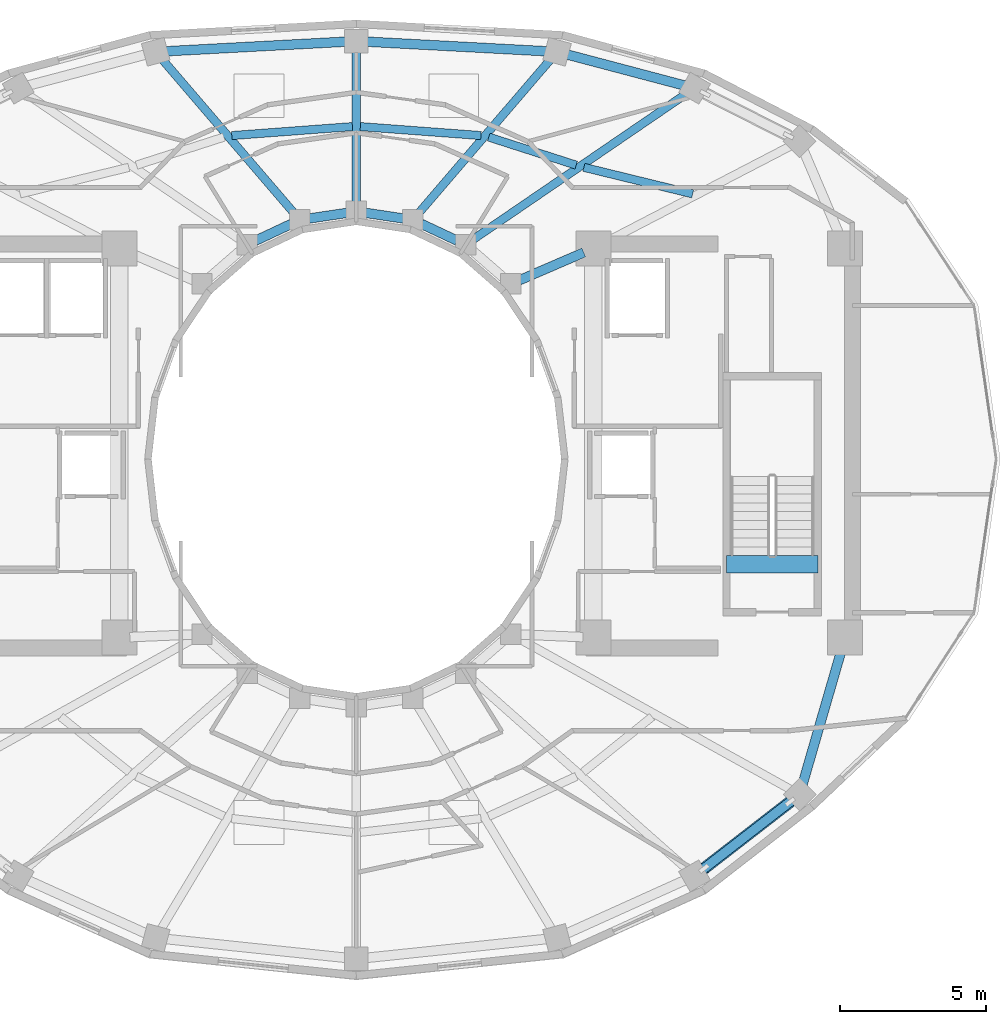
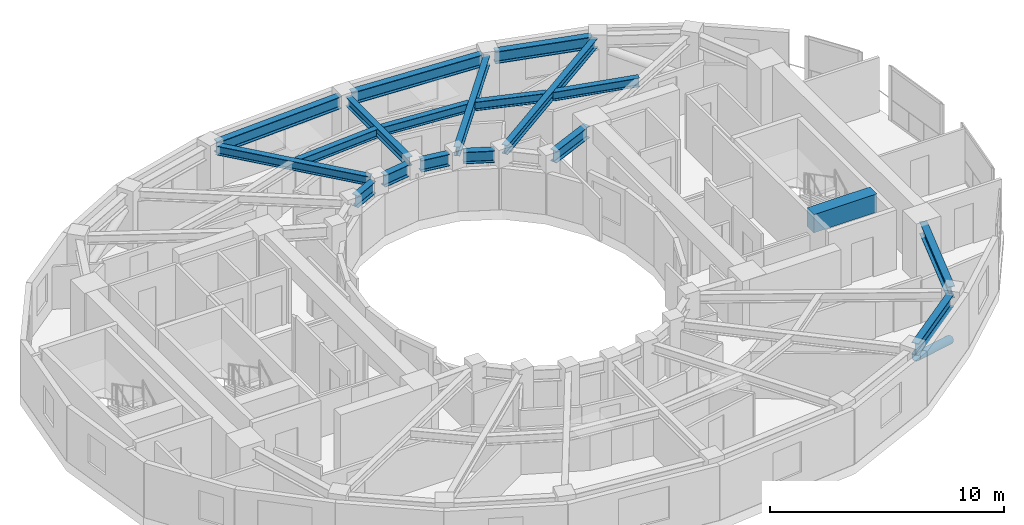
# One storey, part 2 of 12: 19 beams, 1 member.
"""IFC4 building model written with IfcOpenShell, lengths in metres."""

from ifc_helpers import new_model, si_unit, direction, frame, origin, origin_2d, place, context, subcontext, project, spatial, rectangle, hollow_circle, i_section, extrude, material, material_profile, profile_set, type_object, element, save


model = new_model("IFC4")

# Units and contexts
model_context = context("Model", 3, precision=1e-05, world=origin(), true_north=direction((0.0, 1.0)))
body_context = subcontext(model_context, "Body", "Model", "MODEL_VIEW")
ifc_project = project(units=[si_unit("LENGTHUNIT", "METRE"), si_unit("AREAUNIT", "SQUARE_METRE"), si_unit("VOLUMEUNIT", "CUBIC_METRE"), si_unit("PLANEANGLEUNIT", "RADIAN"), si_unit("MASSUNIT", "GRAM", prefix="KILO")], contexts=[model_context])

# Site, building, storey
site_placement = place(None, origin())
site = spatial("IfcSite", under=ifc_project, at=site_placement, CompositionType="ELEMENT")
building_placement = place(site_placement, origin())
building = spatial("IfcBuilding", under=site, at=building_placement, Name="Solvane Sanctuary Tower", CompositionType="ELEMENT")
storey_placement = place(building_placement, frame((0.0, 0.0, 210.89990234375)))
storey = spatial("IfcBuildingStorey", under=building, at=storey_placement, Name="L64", CompositionType="ELEMENT", Elevation=210.89990234375)

# Beams
ifc_material_1 = material(Name="Concrete C70/85", Category="concrete")
ifc_material_profile_1 = material_profile(ifc_material_1, rectangle(XDim=0.60009765625, YDim=0.949951171875, at=origin_2d()), Name="RC600X950")
ifc_profile_set_1 = profile_set([ifc_material_profile_1], Name="Concrete C70/85")
beam_type_1 = type_object("IfcBeamType", Name="Beam B-COUPLE RC600X950", PredefinedType="LINTEL", material=ifc_profile_set_1)
beam_1_placement = place(storey_placement, frame((44.64990234375, 19.399169921875, 2.625), z_axis=(1.0, 0.0, 0.0), x_axis=(0.0, 1.0, 0.0)))
element("IfcBeam", 1, at=beam_1_placement, inside=storey, type_object=beam_type_1, Name="L64 ST-2 Stair Floor Landing Trimmer", PredefinedType="LINTEL", context=body_context, shape_type="SweptSolid", body=[
    extrude(rectangle(XDim=0.60009765625, YDim=0.949951171875, at=origin_2d()), origin(), (0.0, 0.0, 1.0), 3.1201171875),
])
ifc_material_2 = material(Name="Steel ASTM A992 Grade 50", Category="steel")
ifc_material_profile_2 = material_profile(ifc_material_2, i_section(OverallWidth=0.282958984375, OverallDepth=0.471923828125, WebThickness=0.013671875, FlangeThickness=0.022216796875, FilletRadius=0.013916015625, at=origin_2d()), Name="W18X97")
ifc_profile_set_2 = profile_set([ifc_material_profile_2], Name="Steel ASTM A992 Grade 50")
beam_type_2 = type_object("IfcBeamType", Name="Beam B-RAD-Z4 W18X97", PredefinedType="JOIST", material=ifc_profile_set_2)
beam_2_placement = place(storey_placement, frame((35.961181640625, 30.484619140625, 2.64208984375), z_axis=(0.825707980649, 0.564097802418, 0.0), x_axis=(-0.564097802418, 0.825707980649, 0.0)))
element("IfcBeam", 2, at=beam_2_placement, inside=storey, type_object=beam_type_2, Name="L64 Radial Composite Floor Beam 02", PredefinedType="JOIST", context=body_context, shape_type="SweptSolid", body=[
    extrude(i_section(OverallWidth=0.282958984375, OverallDepth=0.471923828125, WebThickness=0.013671875, FlangeThickness=0.022216796875, FilletRadius=0.013916015625, at=origin_2d()), origin(), (0.0, 0.0, 1.0), 8.9169921875),
])
beam_3_placement = place(storey_placement, frame((34.113037109375, 31.38427734375, 2.64208984375), z_axis=(0.651023809724, 0.759057309544, 0.0), x_axis=(-0.759057309544, 0.651023809724, 0.0)))
element("IfcBeam", 3, at=beam_3_placement, inside=storey, type_object=beam_type_2, Name="L64 Radial Composite Floor Beam 03", PredefinedType="JOIST", context=body_context, shape_type="SweptSolid", body=[
    extrude(i_section(OverallWidth=0.282958984375, OverallDepth=0.471923828125, WebThickness=0.013671875, FlangeThickness=0.022216796875, FilletRadius=0.013916015625, at=origin_2d()), origin(), (0.0, 0.0, 1.0), 7.005615234375),
])
beam_4_placement = place(storey_placement, frame((32.0, 31.739990234375, 2.64208984375), z_axis=(0.0, 1.0, 0.0), x_axis=(-1.0, 0.0, 0.0)))
element("IfcBeam", 4, at=beam_4_placement, inside=storey, type_object=beam_type_2, Name="L64 Radial Composite Floor Beam 04", PredefinedType="JOIST", context=body_context, shape_type="SweptSolid", body=[
    extrude(i_section(OverallWidth=0.282958984375, OverallDepth=0.471923828125, WebThickness=0.013671875, FlangeThickness=0.022216796875, FilletRadius=0.013916015625, at=origin_2d()), origin(), (0.0, 0.0, 1.0), 5.260009765625),
])
beam_5_placement = place(storey_placement, frame((29.886962890625, 31.38427734375, 2.64208984375), z_axis=(-0.651023809724, 0.759057309544, 0.0), x_axis=(-0.759057309544, -0.651023809724, 0.0)))
element("IfcBeam", 5, at=beam_5_placement, inside=storey, type_object=beam_type_2, Name="L64 Radial Composite Floor Beam 05", PredefinedType="JOIST", context=body_context, shape_type="SweptSolid", body=[
    extrude(i_section(OverallWidth=0.282958984375, OverallDepth=0.471923828125, WebThickness=0.013671875, FlangeThickness=0.022216796875, FilletRadius=0.013916015625, at=origin_2d()), origin(), (0.0, 0.0, 1.0), 7.005615234375),
])
ifc_material_profile_3 = material_profile(ifc_material_2, i_section(OverallWidth=0.324951171875, OverallDepth=0.615966796875, WebThickness=0.013916015625, FlangeThickness=0.021484375, FilletRadius=0.01611328125, at=origin_2d()), Name="W24X117")
ifc_profile_set_3 = profile_set([ifc_material_profile_3], Name="Steel ASTM A992 Grade 50")
beam_type_3 = type_object("IfcBeamType", Name="Beam B-RING-IN2 W24X117", PredefinedType="BEAM", material=ifc_profile_set_3)
beam_6_placement = place(storey_placement, frame((28.5595703125, 30.462646484375, 2.570068359375), z_axis=(0.905134542189, 0.425125229241, 0.0), x_axis=(-0.425125229241, 0.905134542189, 0.0)))
element("IfcBeam", 6, at=beam_6_placement, inside=storey, type_object=beam_type_3, Name="L64 Inner Light-Well Ring Beam IC06-IC05", PredefinedType="BEAM", context=body_context, shape_type="SweptSolid", body=[
    extrude(i_section(OverallWidth=0.324951171875, OverallDepth=0.615966796875, WebThickness=0.013916015625, FlangeThickness=0.021484375, FilletRadius=0.01611328125, at=origin_2d()), origin(), (0.0, 0.0, 1.0), 1.347900390625),
])
for number, where, z_axis, x_axis, name in (
    (7, (30.3857421875, 31.218994140625, 2.570068359375), (0.989056121481, 0.147539786368, 0.0), (-0.147539786368, 0.989056121481, 0.0), "L64 Inner Light-Well Ring Beam IC05-IC04"),
    (8, (32.31640625, 31.41259765625, 2.570068359375), (0.989056121481, -0.147539786368, 0.0), (0.147539786368, 0.989056121481, 0.0), "L64 Inner Light-Well Ring Beam IC04-IC03"),
):
    element("IfcBeam", number, at=place(storey_placement, frame(where, z_axis=z_axis, x_axis=x_axis)), inside=storey, type_object=beam_type_3, Name=name, PredefinedType="BEAM", context=body_context, shape_type="SweptSolid", body=[
        extrude(i_section(OverallWidth=0.324951171875, OverallDepth=0.615966796875, WebThickness=0.013916015625, FlangeThickness=0.021484375, FilletRadius=0.01611328125, at=origin_2d()), origin(), (0.0, 0.0, 1.0), 1.312255859375),
    ])
beam_7_placement = place(storey_placement, frame((34.220458984375, 31.03564453125, 2.570068359375), z_axis=(0.905134542189, -0.425125229241, 0.0), x_axis=(0.425125229241, 0.905134542189, 0.0)))
element("IfcBeam", 9, at=beam_7_placement, inside=storey, type_object=beam_type_3, Name="L64 Inner Light-Well Ring Beam IC03-IC02", PredefinedType="BEAM", context=body_context, shape_type="SweptSolid", body=[
    extrude(i_section(OverallWidth=0.324951171875, OverallDepth=0.615966796875, WebThickness=0.013916015625, FlangeThickness=0.021484375, FilletRadius=0.01611328125, at=origin_2d()), origin(), (0.0, 0.0, 1.0), 1.347900390625),
])
beam_8_placement = place(storey_placement, frame((37.56884765625, 29.10888671875, 2.570068359375), z_axis=(0.918283854026, 0.395922673554, 0.0), x_axis=(-0.395922673554, 0.918283854026, 0.0)))
element("IfcBeam", 10, at=beam_8_placement, inside=storey, type_object=beam_type_3, Name="L64 Inner Light-Well Ring Beam IC01-CE4", PredefinedType="BEAM", context=body_context, shape_type="SweptSolid", body=[
    extrude(i_section(OverallWidth=0.324951171875, OverallDepth=0.615966796875, WebThickness=0.013916015625, FlangeThickness=0.021484375, FilletRadius=0.01611328125, at=origin_2d()), origin(), (0.0, 0.0, 1.0), 2.396240234375),
])
ifc_material_profile_4 = material_profile(ifc_material_2, i_section(OverallWidth=0.280029296875, OverallDepth=0.462890625, WebThickness=0.0107421875, FlangeThickness=0.017333984375, FilletRadius=0.013916015625, at=origin_2d()), Name="W18X76")
ifc_profile_set_4 = profile_set([ifc_material_profile_4], Name="Steel ASTM A992 Grade 50")
beam_type_4 = type_object("IfcBeamType", Name="Beam B-SEC-JOIST W18X76", PredefinedType="JOIST", material=ifc_profile_set_4)
for number, where, z_axis, x_axis, name in (
    (11, (27.74267578125, 34.052978515625, 2.646484375), (0.997239150169, 0.074256833823, 0.0), (-0.074256833823, 0.997239150169, 0.0), "L64 Secondary Circumferential Joist 05-04"),
    (12, (32.135986328125, 34.35986328125, 2.646484375), (0.997239150169, -0.074256833823, 0.0), (0.074256833823, 0.997239150169, 0.0), "L64 Secondary Circumferential Joist 04-03"),
):
    element("IfcBeam", number, at=place(storey_placement, frame(where, z_axis=z_axis, x_axis=x_axis)), inside=storey, type_object=beam_type_4, Name=name, PredefinedType="JOIST", context=body_context, shape_type="SweptSolid", body=[
        extrude(i_section(OverallWidth=0.280029296875, OverallDepth=0.462890625, WebThickness=0.0107421875, FlangeThickness=0.017333984375, FilletRadius=0.013916015625, at=origin_2d()), origin(), (0.0, 0.0, 1.0), 4.1328125),
    ])
beam_9_placement = place(storey_placement, frame((36.5234375, 34.001220703125, 2.646484375), z_axis=(0.952124803756, -0.305709597612, 0.0), x_axis=(0.305709597612, 0.952124803756, 0.0)))
element("IfcBeam", 13, at=beam_9_placement, inside=storey, type_object=beam_type_4, Name="L64 Secondary Circumferential Joist 03-02", PredefinedType="JOIST", context=body_context, shape_type="SweptSolid", body=[
    extrude(i_section(OverallWidth=0.280029296875, OverallDepth=0.462890625, WebThickness=0.0107421875, FlangeThickness=0.017333984375, FilletRadius=0.013916015625, at=origin_2d()), origin(), (0.0, 0.0, 1.0), 3.139404296875),
])
beam_10_placement = place(storey_placement, frame((39.775146484375, 32.96728515625, 2.646484375), z_axis=(0.971494163165, -0.237063474489, 0.0), x_axis=(0.237063474489, 0.971494163165, 0.0)))
element("IfcBeam", 14, at=beam_10_placement, inside=storey, type_object=beam_type_4, Name="L64 Secondary Circumferential Joist 02-01", PredefinedType="JOIST", context=body_context, shape_type="SweptSolid", body=[
    extrude(i_section(OverallWidth=0.280029296875, OverallDepth=0.462890625, WebThickness=0.0107421875, FlangeThickness=0.017333984375, FilletRadius=0.013916015625, at=origin_2d()), origin(), (0.0, 0.0, 1.0), 3.82373046875),
])
ifc_material_profile_5 = material_profile(ifc_material_2, i_section(OverallWidth=0.327880859375, OverallDepth=0.6279296875, WebThickness=0.0166015625, FlangeThickness=0.027587890625, FilletRadius=0.01611328125, at=origin_2d()), Name="W24X146")
ifc_profile_set_5 = profile_set([ifc_material_profile_5], Name="Steel ASTM A992 Grade 50")
beam_type_5 = type_object("IfcBeamType", Name="Beam B-SPAND-Z3 W24X146", PredefinedType="SPANDREL", material=ifc_profile_set_5)
for number, where, z_axis, x_axis, name in (
    (15, (25.423583984375, 36.92919921875, 2.564208984375), (0.998579926022, 0.05327411516, 0.0), (-0.05327411516, 0.998579926022, 0.0), "L64 Perimeter Spandrel Beam TC05-TC04"),
    (16, (32.279541015625, 37.26513671875, 2.564208984375), (0.998579926022, -0.05327411516, 0.0), (0.05327411516, 0.998579926022, 0.0), "L64 Perimeter Spandrel Beam TC04-TC03"),
):
    element("IfcBeam", number, at=place(storey_placement, frame(where, z_axis=z_axis, x_axis=x_axis)), inside=storey, type_object=beam_type_5, Name=name, PredefinedType="SPANDREL", context=body_context, shape_type="SweptSolid", body=[
        extrude(i_section(OverallWidth=0.327880859375, OverallDepth=0.6279296875, WebThickness=0.0166015625, FlangeThickness=0.027587890625, FilletRadius=0.01611328125, at=origin_2d()), origin(), (0.0, 0.0, 1.0), 6.305908203125),
    ])
beam_11_placement = place(storey_placement, frame((39.126708984375, 36.8427734375, 2.564208984375), z_axis=(0.966816659466, -0.255471225343, 0.0), x_axis=(0.255471225343, 0.966816659466, 0.0)))
element("IfcBeam", 17, at=beam_11_placement, inside=storey, type_object=beam_type_5, Name="L64 Perimeter Spandrel Beam TC03-TC02", PredefinedType="SPANDREL", context=body_context, shape_type="SweptSolid", body=[
    extrude(i_section(OverallWidth=0.327880859375, OverallDepth=0.6279296875, WebThickness=0.0166015625, FlangeThickness=0.027587890625, FilletRadius=0.01611328125, at=origin_2d()), origin(), (0.0, 0.0, 1.0), 4.300537109375),
])
beam_12_placement = place(storey_placement, frame((43.776611328125, 8.929931640625, 2.564208984375), z_axis=(0.79064516309, 0.612274632891, 0.0), x_axis=(-0.612274632891, 0.79064516309, 0.0)))
element("IfcBeam", 18, at=beam_12_placement, inside=storey, type_object=beam_type_5, Name="L64 Perimeter Spandrel Beam TC13-TC14", PredefinedType="SPANDREL", context=body_context, shape_type="SweptSolid", body=[
    extrude(i_section(OverallWidth=0.327880859375, OverallDepth=0.6279296875, WebThickness=0.0166015625, FlangeThickness=0.027587890625, FilletRadius=0.01611328125, at=origin_2d()), origin(), (0.0, 0.0, 1.0), 3.980224609375),
])
beam_13_placement = place(storey_placement, frame((47.222900390625, 11.80712890625, 2.564208984375), z_axis=(0.278564353947, 0.960417565807, 0.0), x_axis=(-0.960417565807, 0.278564353947, 0.0)))
element("IfcBeam", 19, at=beam_13_placement, inside=storey, type_object=beam_type_5, Name="L64 Perimeter Spandrel Beam TC14-CE2", PredefinedType="SPANDREL", context=body_context, shape_type="SweptSolid", body=[
    extrude(i_section(OverallWidth=0.327880859375, OverallDepth=0.6279296875, WebThickness=0.0166015625, FlangeThickness=0.027587890625, FilletRadius=0.01611328125, at=origin_2d()), origin(), (0.0, 0.0, 1.0), 5.022705078125),
])

# Member
ifc_material_profile_6 = material_profile(ifc_material_2, hollow_circle(Radius=0.202880859375, WallThickness=0.012451171875, at=origin_2d()), Name="CHS406X12.5")
ifc_profile_set_6 = profile_set([ifc_material_profile_6], Name="Steel ASTM A992 Grade 50")
member_type = type_object("IfcMemberType", Name="Member M-TUBE-Z3 CHS406X12.5", PredefinedType="BRACE", material=ifc_profile_set_6)
member_placement = place(storey_placement, frame((46.81884765625, 11.285888671875, 0.550048828125), z_axis=(-0.731090089768, -0.566107162853, 0.380827993731), x_axis=(0.612242116954, -0.790670342322, 0.0)))
element("IfcMember", 20, at=member_placement, inside=storey, type_object=member_type, Name="L64 Perimeter Braced-Tube Diagonal SE", PredefinedType="BRACE", context=body_context, shape_type="SweptSolid", body=[
    extrude(hollow_circle(Radius=0.202880859375, WallThickness=0.012451171875, at=origin_2d()), origin(), (0.0, 0.0, 1.0), 4.017578125),
])

save(model, "model.ifc")
